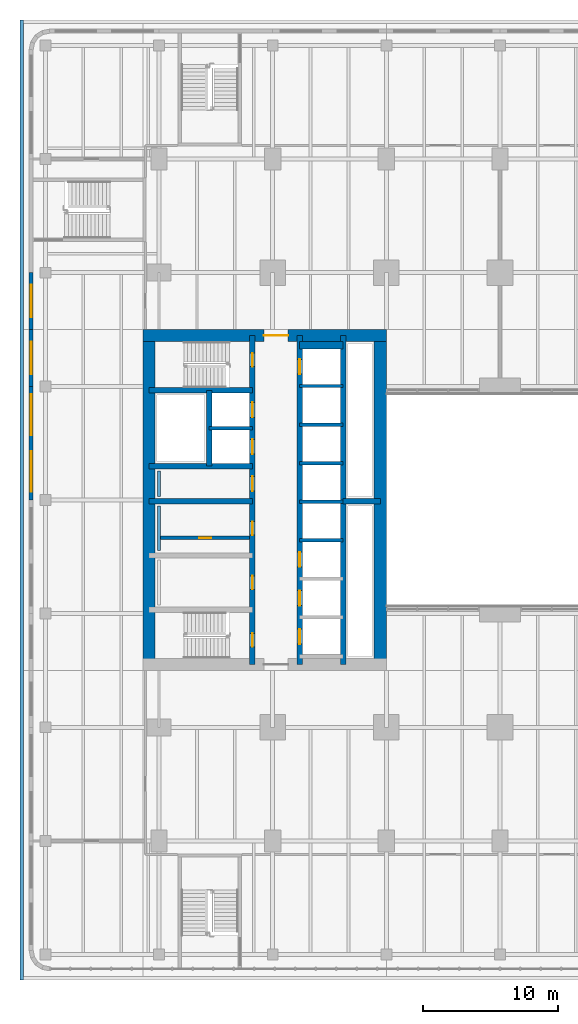
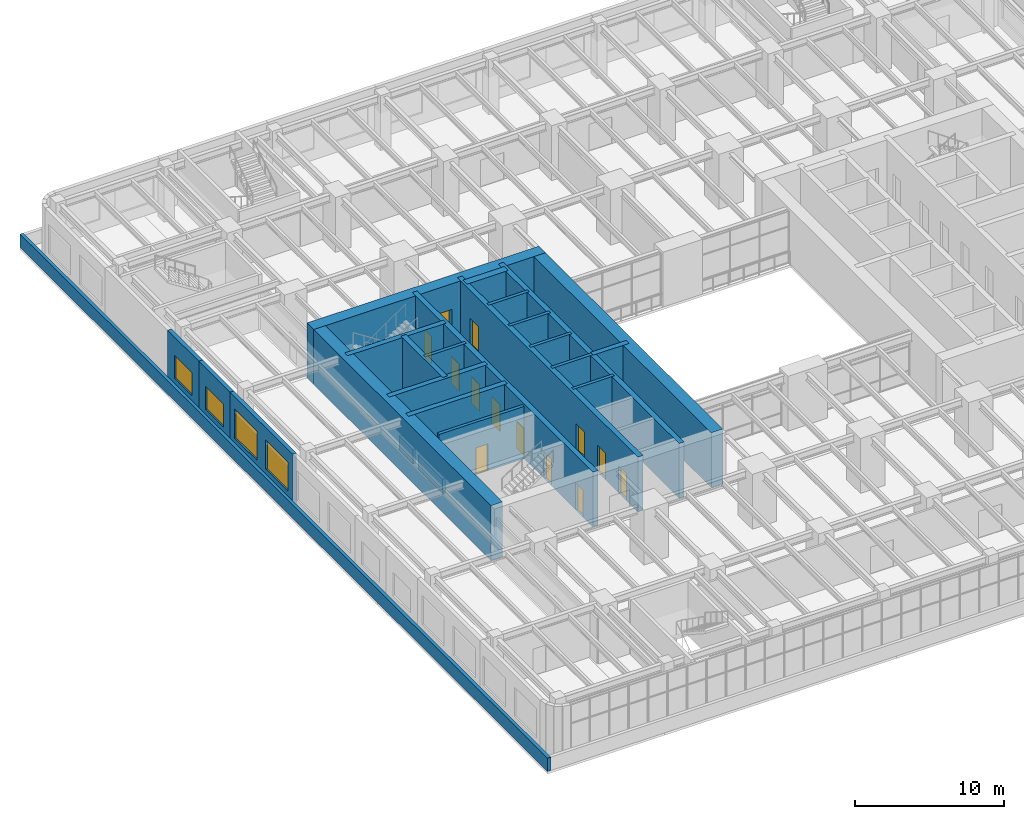
# One storey, part 19 of 30: 25 walls, 13 doors, 4 windows, 17 openings.
"""IFC4 building model written with IfcOpenShell, lengths in metres."""

from ifc_helpers import new_model, si_unit, direction, frame, frame_2d, origin, place, context, subcontext, project, spatial, rectangle, extrude, material, layer, layer_set, type_object, element, fill, save


model = new_model("IFC4")

# Units and contexts
model_context = context("Model", 3, precision=1e-05, world=origin(), true_north=direction((0.0, 1.0)))
body_context = subcontext(model_context, "Body", "Model", "MODEL_VIEW")
ifc_project = project(units=[si_unit("LENGTHUNIT", "METRE"), si_unit("AREAUNIT", "SQUARE_METRE"), si_unit("VOLUMEUNIT", "CUBIC_METRE"), si_unit("PLANEANGLEUNIT", "RADIAN"), si_unit("MASSUNIT", "GRAM", prefix="KILO")], contexts=[model_context])

# Site, building, storey
site_placement = place(None, origin())
site = spatial("IfcSite", under=ifc_project, at=site_placement, CompositionType="ELEMENT")
building_placement = place(site_placement, origin())
building = spatial("IfcBuilding", under=site, at=building_placement, Name="Claustro Exchange Tower", CompositionType="ELEMENT")
storey_placement = place(building_placement, frame((0.0, 0.0, 5.39990234375)))
storey = spatial("IfcBuildingStorey", under=building, at=storey_placement, Name="L01", CompositionType="ELEMENT", Elevation=5.39990234375)

# Wall, opening, door
ifc_material_1 = material(Name="Concrete blockwork, rendered", Category="masonry")
ifc_layer_1 = layer(ifc_material_1, 0.25)
ifc_layer_set_1 = layer_set([ifc_layer_1], Name="Concrete blockwork, rendered")
wall_type_1 = type_object("IfcWallType", Name="P4 250 blockwork wall", PredefinedType="PARTITIONING", material=ifc_layer_set_1)
wall_1_placement = place(storey_placement, frame((0.10009765625, 22.39990234375, 0.0), z_axis=(0.0, 0.0, 1.0), x_axis=(1.0, 0.0, 0.0)))
wall_1 = element("IfcWall", 1, at=wall_1_placement, inside=storey, type_object=wall_type_1, Name="Partition P4 L01", PredefinedType="PARTITIONING", context=body_context, shape_type="SweptSolid", body=[
    extrude(rectangle(XDim=6.599853515625, YDim=0.25, at=frame_2d((3.2998046875, 0.0))), origin(), (0.0, 0.0, 1.0), 4.300048828125),
])
opening_1_placement = place(wall_1_placement, frame((2.875, 0.0, 0.0)))
opening_1 = element("IfcOpeningElement", 2, at=opening_1_placement, cuts=wall_1, Name="Opening D5", PredefinedType="OPENING", context=body_context, shape_type="SweptSolid", body=[
    extrude(rectangle(XDim=0.89990234375, YDim=2.199951171875, at=frame_2d((0.449951171875, 1.10009765625))), frame((0.0, 0.135009765625, 0.0), z_axis=(0.0, -1.0, 0.0), x_axis=(1.0, 0.0, 0.0)), (0.0, 0.0, 1.0), 0.27001953125),
])
ifc_material_2 = material(Name="Steel door, painted", Category="steel")
door_type_1 = type_object("IfcDoorType", Name="D5 900 x 2200 store door", OperationType="SINGLE_SWING_LEFT", PredefinedType="DOOR", material=ifc_material_2)
door_1_placement = place(opening_1_placement, frame((0.89990234375, 0.0, 0.0), z_axis=(0.0, 0.0, 1.0), x_axis=(-1.0, 0.0, 0.0)))
door_1 = element("IfcDoor", 3, at=door_1_placement, inside=storey, type_object=door_type_1, Name="Store door D5 L01", OperationType="SINGLE_SWING_RIGHT", OverallHeight=2.199951171875, OverallWidth=0.89990234375, PredefinedType="DOOR", context=body_context, shape_type="SweptSolid", body=[
    extrude(rectangle(XDim=0.89990234375, YDim=2.199951171875, at=frame_2d((0.449951171875, 1.10009765625))), frame((0.0, 0.02490234375, 0.0), z_axis=(0.0, -1.0, 0.0), x_axis=(1.0, 0.0, 0.0)), (0.0, 0.0, 1.0), 0.050048828125),
])
fill(opening_1, door_1)

# Wall, openings, windows
ifc_material_3 = material(Name="Concrete HA-40 (C40/50), precast, white cement, acid-etched", Category="concrete")
ifc_layer_2 = layer(ifc_material_3, 0.300048828125)
ifc_layer_set_2 = layer_set([ifc_layer_2], Name="Concrete HA-40 (C40/50), precast, white cement, acid-etched")
wall_type_2 = type_object("IfcWallType", Name="PC1 300 precast concrete pier panel", PredefinedType="SOLIDWALL", material=ifc_layer_set_2)
wall_2_placement = place(storey_placement, frame((-9.449951171875, 25.199951171875, 0.0), z_axis=(0.0, 0.0, 1.0), x_axis=(0.0, 1.0, 0.0)))
wall_2 = element("IfcWall", 4, at=wall_2_placement, inside=storey, type_object=wall_type_2, Name="Precast pier panel PC1 L01", PredefinedType="SOLIDWALL", context=body_context, shape_type="SweptSolid", body=[
    extrude(rectangle(XDim=8.400146484375, YDim=0.300048828125, at=frame_2d((4.2001953125, 0.0))), origin(), (0.0, 0.0, 1.0), 4.300048828125),
])
opening_2_placement = place(wall_2_placement, frame((0.60009765625, 0.0, 0.89990234375)))
opening_2 = element("IfcOpeningElement", 5, at=opening_2_placement, cuts=wall_2, Name="Opening W3", PredefinedType="OPENING", context=body_context, shape_type="SweptSolid", body=[
    extrude(rectangle(XDim=3.0, YDim=2.39990234375, at=frame_2d((1.5, 1.199951171875))), frame((0.0, 0.159912109375, 0.0), z_axis=(0.0, -1.0, 0.0), x_axis=(1.0, 0.0, 0.0)), (0.0, 0.0, 1.0), 0.320068359375),
])
opening_3_placement = place(wall_2_placement, frame((4.800048828125, 0.0, 0.89990234375)))
opening_3 = element("IfcOpeningElement", 6, at=opening_3_placement, cuts=wall_2, Name="Opening W3", PredefinedType="OPENING", context=body_context, shape_type="SweptSolid", body=[
    extrude(rectangle(XDim=3.0, YDim=2.39990234375, at=frame_2d((1.5, 1.199951171875))), frame((0.0, 0.159912109375, 0.0), z_axis=(0.0, -1.0, 0.0), x_axis=(1.0, 0.0, 0.0)), (0.0, 0.0, 1.0), 0.320068359375),
])
ifc_material_4 = material(Name="Aluminium frame, clear double glazing", Category="aluminium")
window_type_1 = type_object("IfcWindowType", Name="W3 3000 x 2400 window", PartitioningType="SINGLE_PANEL", PredefinedType="WINDOW", material=ifc_material_4)
window_1_placement = place(opening_2_placement, origin())
window_1 = element("IfcWindow", 7, at=window_1_placement, inside=storey, type_object=window_type_1, Name="Window W3 L01", OverallHeight=2.39990234375, OverallWidth=3.0, PartitioningType="SINGLE_PANEL", PredefinedType="WINDOW", context=body_context, shape_type="SweptSolid", body=[
    extrude(rectangle(XDim=3.0, YDim=2.39990234375, at=frame_2d((1.5, 1.199951171875))), frame((0.0, 0.030029296875, 0.0), z_axis=(0.0, -1.0, 0.0), x_axis=(1.0, 0.0, 0.0)), (0.0, 0.0, 1.0), 0.06005859375),
])
fill(opening_2, window_1)
window_2_placement = place(opening_3_placement, origin())
window_2 = element("IfcWindow", 8, at=window_2_placement, inside=storey, type_object=window_type_1, Name="Window W3 L01", OverallHeight=2.39990234375, OverallWidth=3.0, PartitioningType="SINGLE_PANEL", PredefinedType="WINDOW", context=body_context, shape_type="SweptSolid", body=[
    extrude(rectangle(XDim=3.0, YDim=2.39990234375, at=frame_2d((1.5, 1.199951171875))), frame((0.0, 0.030029296875, 0.0), z_axis=(0.0, -1.0, 0.0), x_axis=(1.0, 0.0, 0.0)), (0.0, 0.0, 1.0), 0.06005859375),
])
fill(opening_3, window_2)

# Wall, opening, window
wall_3_placement = place(storey_placement, frame((-9.449951171875, 33.60009765625, 0.0), z_axis=(0.0, 0.0, 1.0), x_axis=(0.0, 1.0, 0.0)))
wall_3 = element("IfcWall", 9, at=wall_3_placement, inside=storey, type_object=wall_type_2, Name="Precast pier panel PC1 L01", PredefinedType="SOLIDWALL", context=body_context, shape_type="SweptSolid", body=[
    extrude(rectangle(XDim=4.199951171875, YDim=0.300048828125, at=frame_2d((2.10009765625, 0.0))), origin(), (0.0, 0.0, 1.0), 4.300048828125),
])
opening_4_placement = place(wall_3_placement, frame((0.89990234375, 0.0, 0.89990234375)))
opening_4 = element("IfcOpeningElement", 10, at=opening_4_placement, cuts=wall_3, Name="Opening W2", PredefinedType="OPENING", context=body_context, shape_type="SweptSolid", body=[
    extrude(rectangle(XDim=2.39990234375, YDim=1.89990234375, at=frame_2d((1.199951171875, 0.949951171875))), frame((0.0, 0.159912109375, 0.0), z_axis=(0.0, -1.0, 0.0), x_axis=(1.0, 0.0, 0.0)), (0.0, 0.0, 1.0), 0.320068359375),
])
ifc_material_5 = material(Name="Aluminium frame, clear double glazing", Category="aluminium")
window_type_2 = type_object("IfcWindowType", Name="W2 2400 x 1900 window", PartitioningType="SINGLE_PANEL", PredefinedType="WINDOW", material=ifc_material_5)
window_3_placement = place(opening_4_placement, origin())
window_3 = element("IfcWindow", 11, at=window_3_placement, inside=storey, type_object=window_type_2, Name="Window W2 L01", OverallHeight=1.89990234375, OverallWidth=2.39990234375, PartitioningType="SINGLE_PANEL", PredefinedType="WINDOW", context=body_context, shape_type="SweptSolid", body=[
    extrude(rectangle(XDim=2.39990234375, YDim=1.89990234375, at=frame_2d((1.199951171875, 0.949951171875))), frame((0.0, 0.030029296875, 0.0), z_axis=(0.0, -1.0, 0.0), x_axis=(1.0, 0.0, 0.0)), (0.0, 0.0, 1.0), 0.06005859375),
])
fill(opening_4, window_3)

wall_4_placement = place(storey_placement, frame((-9.449951171875, 37.800048828125, 0.0), z_axis=(0.0, 0.0, 1.0), x_axis=(0.0, 1.0, 0.0)))
wall_4 = element("IfcWall", 12, at=wall_4_placement, inside=storey, type_object=wall_type_2, Name="Precast pier panel PC1 L01", PredefinedType="SOLIDWALL", context=body_context, shape_type="SweptSolid", body=[
    extrude(rectangle(XDim=4.199951171875, YDim=0.300048828125, at=frame_2d((2.10009765625, 0.0))), origin(), (0.0, 0.0, 1.0), 4.300048828125),
])
opening_5_placement = place(wall_4_placement, frame((0.89990234375, 0.0, 0.89990234375)))
opening_5 = element("IfcOpeningElement", 13, at=opening_5_placement, cuts=wall_4, Name="Opening W2", PredefinedType="OPENING", context=body_context, shape_type="SweptSolid", body=[
    extrude(rectangle(XDim=2.39990234375, YDim=1.89990234375, at=frame_2d((1.199951171875, 0.949951171875))), frame((0.0, 0.159912109375, 0.0), z_axis=(0.0, -1.0, 0.0), x_axis=(1.0, 0.0, 0.0)), (0.0, 0.0, 1.0), 0.320068359375),
])
window_4_placement = place(opening_5_placement, origin())
window_4 = element("IfcWindow", 14, at=window_4_placement, inside=storey, type_object=window_type_2, Name="Window W2 L01", OverallHeight=1.89990234375, OverallWidth=2.39990234375, PartitioningType="SINGLE_PANEL", PredefinedType="WINDOW", context=body_context, shape_type="SweptSolid", body=[
    extrude(rectangle(XDim=2.39990234375, YDim=1.89990234375, at=frame_2d((1.199951171875, 0.949951171875))), frame((0.0, 0.030029296875, 0.0), z_axis=(0.0, -1.0, 0.0), x_axis=(1.0, 0.0, 0.0)), (0.0, 0.0, 1.0), 0.06005859375),
])
fill(opening_5, window_4)

# Walls
ifc_material_6 = material(Name="Concrete HA-40 (C40/50), precast, white cement, acid-etched", Category="concrete")
ifc_layer_3 = layer(ifc_material_6, 0.25)
ifc_layer_set_3 = layer_set([ifc_layer_3], Name="Concrete HA-40 (C40/50), precast, white cement, acid-etched")
wall_type_3 = type_object("IfcWallType", Name="PP1 250 precast concrete parapet", PredefinedType="PARAPET", material=ifc_layer_set_3)
wall_5_placement = place(storey_placement, frame((-10.14990234375, -10.27490234375, 0.0), z_axis=(0.0, 0.0, 1.0), x_axis=(0.0, 1.0, 0.0)))
element("IfcWall", 15, at=wall_5_placement, inside=storey, type_object=wall_type_3, Name="Parapet PP1 roof at +5.400", PredefinedType="PARAPET", context=body_context, shape_type="SweptSolid", body=[
    extrude(rectangle(XDim=70.949951171875, YDim=0.25, at=frame_2d((35.47509765625, 0.0))), origin(), (0.0, 0.0, 1.0), 1.10009765625),
])
ifc_material_7 = material(Name="Gypsum board on steel studs, tiled", Category="steel")
ifc_layer_4 = layer(ifc_material_7, 0.199951171875)
ifc_layer_set_4 = layer_set([ifc_layer_4], Name="Gypsum board on steel studs, tiled")
wall_type_4 = type_object("IfcWallType", Name="PW1 200 WC duct wall", PredefinedType="PLUMBINGWALL", material=ifc_layer_set_4)
wall_6_placement = place(storey_placement, frame((0.0, 21.449951171875, 0.0), z_axis=(0.0, 0.0, 1.0), x_axis=(0.0, 1.0, 0.0)))
element("IfcWall", 16, at=wall_6_placement, inside=storey, type_object=wall_type_4, Name="WC duct wall PW1 L01", PredefinedType="PLUMBINGWALL", context=body_context, shape_type="SweptSolid", body=[
    extrude(rectangle(XDim=3.300048828125, YDim=0.199951171875, at=frame_2d((1.64990234375, 0.0))), origin(), (0.0, 0.0, 1.0), 1.2001953125),
])
wall_7_placement = place(storey_placement, frame((0.0, 25.449951171875, 0.0), z_axis=(0.0, 0.0, 1.0), x_axis=(0.0, 1.0, 0.0)))
element("IfcWall", 17, at=wall_7_placement, inside=storey, type_object=wall_type_4, Name="WC duct wall PW1 L01", PredefinedType="PLUMBINGWALL", context=body_context, shape_type="SweptSolid", body=[
    extrude(rectangle(XDim=1.900146484375, YDim=0.199951171875, at=frame_2d((0.9501953125, 0.0))), origin(), (0.0, 0.0, 1.0), 1.2001953125),
])

# Wall, opening, door
ifc_material_8 = material(Name="Concrete HA-70 (C70/85)", Category="concrete")
ifc_layer_5 = layer(ifc_material_8, 0.89990234375)
ifc_layer_set_5 = layer_set([ifc_layer_5], Name="Concrete HA-70 (C70/85)")
wall_type_5 = type_object("IfcWallType", Name="SW1 900 core shear wall", PredefinedType="SHEAR", material=ifc_layer_set_5)
wall_8_placement = place(storey_placement, frame((-1.199951171875, 37.35009765625, 0.0), z_axis=(0.0, 0.0, 1.0), x_axis=(1.0, 0.0, 0.0)))
wall_8 = element("IfcWall", 18, at=wall_8_placement, inside=storey, type_object=wall_type_5, Name="Core wall SW1 W core N face L01", PredefinedType="SHEAR", context=body_context, shape_type="SweptSolid", body=[
    extrude(rectangle(XDim=18.0, YDim=0.89990234375, at=frame_2d((9.0, 0.0))), origin(), (0.0, 0.0, 1.0), 4.5),
])
opening_6_placement = place(wall_8_placement, frame((8.949951171875, 0.0, 0.0)))
opening_6 = element("IfcOpeningElement", 19, at=opening_6_placement, cuts=wall_8, Name="Opening D3", PredefinedType="OPENING", context=body_context, shape_type="SweptSolid", body=[
    extrude(rectangle(XDim=1.800048828125, YDim=2.39990234375, at=frame_2d((0.89990234375, 1.199951171875))), frame((0.0, 0.4599609375, 0.0), z_axis=(0.0, -1.0, 0.0), x_axis=(1.0, 0.0, 0.0)), (0.0, 0.0, 1.0), 0.919921875),
])
ifc_material_9 = material(Name="Steel fire door, painted", Category="steel")
door_type_2 = type_object("IfcDoorType", Name="D3 1800 x 2400 fire-rated lobby double door", OperationType="DOUBLE_DOOR_SINGLE_SWING", PredefinedType="DOOR", material=ifc_material_9)
door_2_placement = place(opening_6_placement, origin())
door_2 = element("IfcDoor", 20, at=door_2_placement, inside=storey, type_object=door_type_2, Name="Lift lobby door D3 L01", OperationType="DOUBLE_DOOR_SINGLE_SWING", OverallHeight=2.39990234375, OverallWidth=1.800048828125, PredefinedType="DOOR", context=body_context, shape_type="SweptSolid", body=[
    extrude(rectangle(XDim=1.800048828125, YDim=2.39990234375, at=frame_2d((0.89990234375, 1.199951171875))), frame((0.0, 0.02490234375, 0.0), z_axis=(0.0, -1.0, 0.0), x_axis=(1.0, 0.0, 0.0)), (0.0, 0.0, 1.0), 0.050048828125),
])
fill(opening_6, door_2)

# Walls
ifc_material_10 = material(Name="Concrete HA-70 (C70/85)", Category="concrete")
ifc_layer_6 = layer(ifc_material_10, 0.89990234375)
ifc_layer_set_6 = layer_set([ifc_layer_6], Name="Concrete HA-70 (C70/85)")
wall_type_6 = type_object("IfcWallType", Name="SW1X 900 exposed core shear wall, board-marked face", PredefinedType="SHEAR", material=ifc_layer_set_6)
for number, where, z_axis, x_axis, name in (
    (21, (-0.75, 13.050048828125, 0.0), (0.0, 0.0, 1.0), (0.0, 1.0, 0.0), "Core wall SW1X W core W face L01"),
    (22, (16.35009765625, 13.050048828125, 0.0), (0.0, 0.0, 1.0), (0.0, 1.0, 0.0), "Core wall SW1X W core E face L01"),
):
    element("IfcWall", number, at=place(storey_placement, frame(where, z_axis=z_axis, x_axis=x_axis)), inside=storey, type_object=wall_type_6, Name=name, PredefinedType="SHEAR", context=body_context, shape_type="SweptSolid", body=[
        extrude(rectangle(XDim=24.300048828125, YDim=0.89990234375, at=frame_2d((12.14990234375, 0.0))), origin(), (0.0, 0.0, 1.0), 4.5),
    ])

# Wall, openings, doors
ifc_material_11 = material(Name="Concrete HA-50 (C50/60)", Category="concrete")
ifc_layer_7 = layer(ifc_material_11, 0.39990234375)
ifc_layer_set_7 = layer_set([ifc_layer_7], Name="Concrete HA-50 (C50/60)")
wall_type_7 = type_object("IfcWallType", Name="SW4 400 internal core wall", PredefinedType="SHEAR", material=ifc_layer_set_7)
wall_9_placement = place(storey_placement, frame((6.89990234375, 13.050048828125, 0.0), z_axis=(0.0, 0.0, 1.0), x_axis=(0.0, 1.0, 0.0)))
wall_9 = element("IfcWall", 23, at=wall_9_placement, inside=storey, type_object=wall_type_7, Name="Internal core wall SW4 W core L01", PredefinedType="SHEAR", context=body_context, shape_type="SweptSolid", body=[
    extrude(rectangle(XDim=24.300048828125, YDim=0.39990234375, at=frame_2d((12.14990234375, 0.0))), origin(), (0.0, 0.0, 1.0), 4.5),
])
opening_7_placement = place(wall_9_placement, frame((1.300048828125, 0.0, 0.0)))
opening_7 = element("IfcOpeningElement", 24, at=opening_7_placement, cuts=wall_9, Name="Opening D4", PredefinedType="OPENING", context=body_context, shape_type="SweptSolid", body=[
    extrude(rectangle(XDim=1.0, YDim=2.199951171875, at=frame_2d((0.5, 1.10009765625))), frame((0.0, 0.2099609375, 0.0), z_axis=(0.0, -1.0, 0.0), x_axis=(1.0, 0.0, 0.0)), (0.0, 0.0, 1.0), 0.419921875),
])
opening_8_placement = place(wall_9_placement, frame((22.0, 0.0, 0.0)))
opening_8 = element("IfcOpeningElement", 25, at=opening_8_placement, cuts=wall_9, Name="Opening D4", PredefinedType="OPENING", context=body_context, shape_type="SweptSolid", body=[
    extrude(rectangle(XDim=1.0, YDim=2.199951171875, at=frame_2d((0.5, 1.10009765625))), frame((0.0, 0.2099609375, 0.0), z_axis=(0.0, -1.0, 0.0), x_axis=(1.0, 0.0, 0.0)), (0.0, 0.0, 1.0), 0.419921875),
])
opening_9_placement = place(wall_9_placement, frame((5.550048828125, 0.0, 0.0)))
opening_9 = element("IfcOpeningElement", 26, at=opening_9_placement, cuts=wall_9, Name="Opening D1", PredefinedType="OPENING", context=body_context, shape_type="SweptSolid", body=[
    extrude(rectangle(XDim=1.0, YDim=2.199951171875, at=frame_2d((0.5, 1.10009765625))), frame((0.0, 0.2099609375, 0.0), z_axis=(0.0, -1.0, 0.0), x_axis=(1.0, 0.0, 0.0)), (0.0, 0.0, 1.0), 0.419921875),
])
opening_10_placement = place(wall_9_placement, frame((9.550048828125, 0.0, 0.0)))
opening_10 = element("IfcOpeningElement", 27, at=opening_10_placement, cuts=wall_9, Name="Opening D1", PredefinedType="OPENING", context=body_context, shape_type="SweptSolid", body=[
    extrude(rectangle(XDim=1.0, YDim=2.199951171875, at=frame_2d((0.5, 1.10009765625))), frame((0.0, 0.2099609375, 0.0), z_axis=(0.0, -1.0, 0.0), x_axis=(1.0, 0.0, 0.0)), (0.0, 0.0, 1.0), 0.419921875),
])
opening_11_placement = place(wall_9_placement, frame((12.800048828125, 0.0, 0.0)))
opening_11 = element("IfcOpeningElement", 28, at=opening_11_placement, cuts=wall_9, Name="Opening D10", PredefinedType="OPENING", context=body_context, shape_type="SweptSolid", body=[
    extrude(rectangle(XDim=1.10009765625, YDim=2.199951171875, at=frame_2d((0.550048828125, 1.10009765625))), frame((0.0, 0.2099609375, 0.0), z_axis=(0.0, -1.0, 0.0), x_axis=(1.0, 0.0, 0.0)), (0.0, 0.0, 1.0), 0.419921875),
])
opening_12_placement = place(wall_9_placement, frame((15.53759765625, 0.0, 0.0)))
opening_12 = element("IfcOpeningElement", 29, at=opening_12_placement, cuts=wall_9, Name="Opening LD", PredefinedType="OPENING", context=body_context, shape_type="SweptSolid", body=[
    extrude(rectangle(XDim=1.10009765625, YDim=2.199951171875, at=frame_2d((0.550048828125, 1.10009765625))), frame((0.0, 0.2099609375, 0.0), z_axis=(0.0, -1.0, 0.0), x_axis=(1.0, 0.0, 0.0)), (0.0, 0.0, 1.0), 0.419921875),
])
opening_13_placement = place(wall_9_placement, frame((18.262451171875, 0.0, 0.0)))
opening_13 = element("IfcOpeningElement", 30, at=opening_13_placement, cuts=wall_9, Name="Opening LD", PredefinedType="OPENING", context=body_context, shape_type="SweptSolid", body=[
    extrude(rectangle(XDim=1.10009765625, YDim=2.199951171875, at=frame_2d((0.550048828125, 1.10009765625))), frame((0.0, 0.2099609375, 0.0), z_axis=(0.0, -1.0, 0.0), x_axis=(1.0, 0.0, 0.0)), (0.0, 0.0, 1.0), 0.419921875),
])
ifc_material_12 = material(Name="Timber door, oak veneer", Category="wood")
door_type_3 = type_object("IfcDoorType", Name="D1 1000 x 2200 single door", OperationType="SINGLE_SWING_LEFT", PredefinedType="DOOR", material=ifc_material_12)
door_3_placement = place(opening_9_placement, origin())
door_3 = element("IfcDoor", 31, at=door_3_placement, inside=storey, type_object=door_type_3, Name="Door D1 L01", OperationType="SINGLE_SWING_RIGHT", OverallHeight=2.199951171875, OverallWidth=1.0, PredefinedType="DOOR", context=body_context, shape_type="SweptSolid", body=[
    extrude(rectangle(XDim=1.0, YDim=2.199951171875, at=frame_2d((0.5, 1.10009765625))), frame((0.0, 0.02490234375, 0.0), z_axis=(0.0, -1.0, 0.0), x_axis=(1.0, 0.0, 0.0)), (0.0, 0.0, 1.0), 0.050048828125),
])
fill(opening_9, door_3)
door_4_placement = place(opening_10_placement, origin())
door_4 = element("IfcDoor", 32, at=door_4_placement, inside=storey, type_object=door_type_3, Name="Door D1 L01", OperationType="SINGLE_SWING_LEFT", OverallHeight=2.199951171875, OverallWidth=1.0, PredefinedType="DOOR", context=body_context, shape_type="SweptSolid", body=[
    extrude(rectangle(XDim=1.0, YDim=2.199951171875, at=frame_2d((0.5, 1.10009765625))), frame((0.0, 0.02490234375, 0.0), z_axis=(0.0, -1.0, 0.0), x_axis=(1.0, 0.0, 0.0)), (0.0, 0.0, 1.0), 0.050048828125),
])
fill(opening_10, door_4)
ifc_material_13 = material(Name="Timber door, oak veneer", Category="wood")
door_type_4 = type_object("IfcDoorType", Name="D10 1100 x 2200 accessible WC door", OperationType="SINGLE_SWING_LEFT", PredefinedType="DOOR", material=ifc_material_13)
door_5_placement = place(opening_11_placement, frame((1.10009765625, 0.0, 0.0), z_axis=(0.0, 0.0, 1.0), x_axis=(-1.0, 0.0, 0.0)))
door_5 = element("IfcDoor", 33, at=door_5_placement, inside=storey, type_object=door_type_4, Name="Accessible WC door D10 L01", OperationType="SINGLE_SWING_LEFT", OverallHeight=2.199951171875, OverallWidth=1.10009765625, PredefinedType="DOOR", context=body_context, shape_type="SweptSolid", body=[
    extrude(rectangle(XDim=1.10009765625, YDim=2.199951171875, at=frame_2d((0.550048828125, 1.10009765625))), frame((0.0, 0.02490234375, 0.0), z_axis=(0.0, -1.0, 0.0), x_axis=(1.0, 0.0, 0.0)), (0.0, 0.0, 1.0), 0.050048828125),
])
fill(opening_11, door_5)
ifc_material_14 = material(Name="Steel fire door, painted", Category="steel")
door_type_5 = type_object("IfcDoorType", Name="D4 1000 x 2200 fire-rated stair door", OperationType="SINGLE_SWING_LEFT", PredefinedType="DOOR", material=ifc_material_14)
door_6_placement = place(opening_7_placement, origin())
door_6 = element("IfcDoor", 34, at=door_6_placement, inside=storey, type_object=door_type_5, Name="Stair door D4 L01", OperationType="SINGLE_SWING_LEFT", OverallHeight=2.199951171875, OverallWidth=1.0, PredefinedType="DOOR", context=body_context, shape_type="SweptSolid", body=[
    extrude(rectangle(XDim=1.0, YDim=2.199951171875, at=frame_2d((0.5, 1.10009765625))), frame((0.0, 0.02490234375, 0.0), z_axis=(0.0, -1.0, 0.0), x_axis=(1.0, 0.0, 0.0)), (0.0, 0.0, 1.0), 0.050048828125),
])
fill(opening_7, door_6)
door_7_placement = place(opening_8_placement, origin())
door_7 = element("IfcDoor", 35, at=door_7_placement, inside=storey, type_object=door_type_5, Name="Stair door D4 L01", OperationType="SINGLE_SWING_RIGHT", OverallHeight=2.199951171875, OverallWidth=1.0, PredefinedType="DOOR", context=body_context, shape_type="SweptSolid", body=[
    extrude(rectangle(XDim=1.0, YDim=2.199951171875, at=frame_2d((0.5, 1.10009765625))), frame((0.0, 0.02490234375, 0.0), z_axis=(0.0, -1.0, 0.0), x_axis=(1.0, 0.0, 0.0)), (0.0, 0.0, 1.0), 0.050048828125),
])
fill(opening_8, door_7)
ifc_material_15 = material(Name="Stainless steel sliding door", Category="steel")
door_type_6 = type_object("IfcDoorType", Name="LD 1100 x 2200 lift landing door", OperationType="DOUBLE_DOOR_SLIDING", PredefinedType="DOOR", material=ifc_material_15)
door_8_placement = place(opening_12_placement, origin())
door_8 = element("IfcDoor", 36, at=door_8_placement, inside=storey, type_object=door_type_6, Name="Lift landing door LEW1 LD L01", OperationType="DOUBLE_DOOR_SLIDING", OverallHeight=2.199951171875, OverallWidth=1.10009765625, PredefinedType="DOOR", context=body_context, shape_type="SweptSolid", body=[
    extrude(rectangle(XDim=1.10009765625, YDim=2.199951171875, at=frame_2d((0.550048828125, 1.10009765625))), frame((0.0, 0.02490234375, 0.0), z_axis=(0.0, -1.0, 0.0), x_axis=(1.0, 0.0, 0.0)), (0.0, 0.0, 1.0), 0.050048828125),
])
fill(opening_12, door_8)
door_9_placement = place(opening_13_placement, origin())
door_9 = element("IfcDoor", 37, at=door_9_placement, inside=storey, type_object=door_type_6, Name="Lift landing door LEW2 LD L01", OperationType="DOUBLE_DOOR_SLIDING", OverallHeight=2.199951171875, OverallWidth=1.10009765625, PredefinedType="DOOR", context=body_context, shape_type="SweptSolid", body=[
    extrude(rectangle(XDim=1.10009765625, YDim=2.199951171875, at=frame_2d((0.550048828125, 1.10009765625))), frame((0.0, 0.02490234375, 0.0), z_axis=(0.0, -1.0, 0.0), x_axis=(1.0, 0.0, 0.0)), (0.0, 0.0, 1.0), 0.050048828125),
])
fill(opening_13, door_9)

wall_10_placement = place(storey_placement, frame((10.39990234375, 13.050048828125, 0.0), z_axis=(0.0, 0.0, 1.0), x_axis=(0.0, 1.0, 0.0)))
wall_10 = element("IfcWall", 38, at=wall_10_placement, inside=storey, type_object=wall_type_7, Name="Internal core wall SW4 W core L01", PredefinedType="SHEAR", context=body_context, shape_type="SweptSolid", body=[
    extrude(rectangle(XDim=24.300048828125, YDim=0.39990234375, at=frame_2d((12.14990234375, 0.0))), origin(), (0.0, 0.0, 1.0), 4.5),
])
opening_14_placement = place(wall_10_placement, frame((1.5, 0.0, 0.0)))
opening_14 = element("IfcOpeningElement", 39, at=opening_14_placement, cuts=wall_10, Name="Opening LD", PredefinedType="OPENING", context=body_context, shape_type="SweptSolid", body=[
    extrude(rectangle(XDim=1.10009765625, YDim=2.199951171875, at=frame_2d((0.550048828125, 1.10009765625))), frame((0.0, 0.2099609375, 0.0), z_axis=(0.0, -1.0, 0.0), x_axis=(1.0, 0.0, 0.0)), (0.0, 0.0, 1.0), 0.419921875),
])
opening_15_placement = place(wall_10_placement, frame((4.35009765625, 0.0, 0.0)))
opening_15 = element("IfcOpeningElement", 40, at=opening_15_placement, cuts=wall_10, Name="Opening LD", PredefinedType="OPENING", context=body_context, shape_type="SweptSolid", body=[
    extrude(rectangle(XDim=1.10009765625, YDim=2.199951171875, at=frame_2d((0.550048828125, 1.10009765625))), frame((0.0, 0.2099609375, 0.0), z_axis=(0.0, -1.0, 0.0), x_axis=(1.0, 0.0, 0.0)), (0.0, 0.0, 1.0), 0.419921875),
])
opening_16_placement = place(wall_10_placement, frame((7.199951171875, 0.0, 0.0)))
opening_16 = element("IfcOpeningElement", 41, at=opening_16_placement, cuts=wall_10, Name="Opening LD", PredefinedType="OPENING", context=body_context, shape_type="SweptSolid", body=[
    extrude(rectangle(XDim=1.10009765625, YDim=2.199951171875, at=frame_2d((0.550048828125, 1.10009765625))), frame((0.0, 0.2099609375, 0.0), z_axis=(0.0, -1.0, 0.0), x_axis=(1.0, 0.0, 0.0)), (0.0, 0.0, 1.0), 0.419921875),
])
opening_17_placement = place(wall_10_placement, frame((21.449951171875, 0.0, 0.0)))
opening_17 = element("IfcOpeningElement", 42, at=opening_17_placement, cuts=wall_10, Name="Opening LD", PredefinedType="OPENING", context=body_context, shape_type="SweptSolid", body=[
    extrude(rectangle(XDim=1.10009765625, YDim=2.199951171875, at=frame_2d((0.550048828125, 1.10009765625))), frame((0.0, 0.2099609375, 0.0), z_axis=(0.0, -1.0, 0.0), x_axis=(1.0, 0.0, 0.0)), (0.0, 0.0, 1.0), 0.419921875),
])
door_10_placement = place(opening_14_placement, origin())
door_10 = element("IfcDoor", 43, at=door_10_placement, inside=storey, type_object=door_type_6, Name="Lift landing door LLW1 LD L01", OperationType="DOUBLE_DOOR_SLIDING", OverallHeight=2.199951171875, OverallWidth=1.10009765625, PredefinedType="DOOR", context=body_context, shape_type="SweptSolid", body=[
    extrude(rectangle(XDim=1.10009765625, YDim=2.199951171875, at=frame_2d((0.550048828125, 1.10009765625))), frame((0.0, 0.02490234375, 0.0), z_axis=(0.0, -1.0, 0.0), x_axis=(1.0, 0.0, 0.0)), (0.0, 0.0, 1.0), 0.050048828125),
])
fill(opening_14, door_10)
door_11_placement = place(opening_15_placement, origin())
door_11 = element("IfcDoor", 44, at=door_11_placement, inside=storey, type_object=door_type_6, Name="Lift landing door LLW2 LD L01", OperationType="DOUBLE_DOOR_SLIDING", OverallHeight=2.199951171875, OverallWidth=1.10009765625, PredefinedType="DOOR", context=body_context, shape_type="SweptSolid", body=[
    extrude(rectangle(XDim=1.10009765625, YDim=2.199951171875, at=frame_2d((0.550048828125, 1.10009765625))), frame((0.0, 0.02490234375, 0.0), z_axis=(0.0, -1.0, 0.0), x_axis=(1.0, 0.0, 0.0)), (0.0, 0.0, 1.0), 0.050048828125),
])
fill(opening_15, door_11)
door_12_placement = place(opening_16_placement, origin())
door_12 = element("IfcDoor", 45, at=door_12_placement, inside=storey, type_object=door_type_6, Name="Lift landing door LLW3 LD L01", OperationType="DOUBLE_DOOR_SLIDING", OverallHeight=2.199951171875, OverallWidth=1.10009765625, PredefinedType="DOOR", context=body_context, shape_type="SweptSolid", body=[
    extrude(rectangle(XDim=1.10009765625, YDim=2.199951171875, at=frame_2d((0.550048828125, 1.10009765625))), frame((0.0, 0.02490234375, 0.0), z_axis=(0.0, -1.0, 0.0), x_axis=(1.0, 0.0, 0.0)), (0.0, 0.0, 1.0), 0.050048828125),
])
fill(opening_16, door_12)
door_13_placement = place(opening_17_placement, origin())
door_13 = element("IfcDoor", 46, at=door_13_placement, inside=storey, type_object=door_type_6, Name="Lift landing door LSW1 LD L01", OperationType="DOUBLE_DOOR_SLIDING", OverallHeight=2.199951171875, OverallWidth=1.10009765625, PredefinedType="DOOR", context=body_context, shape_type="SweptSolid", body=[
    extrude(rectangle(XDim=1.10009765625, YDim=2.199951171875, at=frame_2d((0.550048828125, 1.10009765625))), frame((0.0, 0.02490234375, 0.0), z_axis=(0.0, -1.0, 0.0), x_axis=(1.0, 0.0, 0.0)), (0.0, 0.0, 1.0), 0.050048828125),
])
fill(opening_17, door_13)

# Walls
wall_11_placement = place(storey_placement, frame((13.60009765625, 13.050048828125, 0.0), z_axis=(0.0, 0.0, 1.0), x_axis=(0.0, 1.0, 0.0)))
element("IfcWall", 47, at=wall_11_placement, inside=storey, type_object=wall_type_7, Name="Internal core wall SW4 W core L01", PredefinedType="SHEAR", context=body_context, shape_type="SweptSolid", body=[
    extrude(rectangle(XDim=24.300048828125, YDim=0.39990234375, at=frame_2d((12.14990234375, 0.0))), origin(), (0.0, 0.0, 1.0), 4.5),
])
for number, where, z_axis, x_axis, name in (
    (48, (-0.75, 25.10009765625, 0.0), (0.0, 0.0, 1.0), (1.0, 0.0, 0.0), "Internal core wall SW4 W core L01"),
    (49, (-0.75, 27.699951171875, 0.0), (0.0, 0.0, 1.0), (1.0, 0.0, 0.0), "Internal core wall SW4 W core L01"),
    (50, (-0.75, 33.300048828125, 0.0), (0.0, 0.0, 1.0), (1.0, 0.0, 0.0), "Internal core wall SW4 W core L01"),
):
    element("IfcWall", number, at=place(storey_placement, frame(where, z_axis=z_axis, x_axis=x_axis)), inside=storey, type_object=wall_type_7, Name=name, PredefinedType="SHEAR", context=body_context, shape_type="SweptSolid", body=[
        extrude(rectangle(XDim=7.64990234375, YDim=0.39990234375, at=frame_2d((3.824951171875, 0.0))), origin(), (0.0, 0.0, 1.0), 4.5),
    ])
wall_12_placement = place(storey_placement, frame((3.699951171875, 27.699951171875, 0.0), z_axis=(0.0, 0.0, 1.0), x_axis=(0.0, 1.0, 0.0)))
element("IfcWall", 51, at=wall_12_placement, inside=storey, type_object=wall_type_7, Name="Internal core wall SW4 W core L01", PredefinedType="SHEAR", context=body_context, shape_type="SweptSolid", body=[
    extrude(rectangle(XDim=5.60009765625, YDim=0.39990234375, at=frame_2d((2.800048828125, 0.0))), origin(), (0.0, 0.0, 1.0), 4.5),
])
wall_13_placement = place(storey_placement, frame((13.60009765625, 25.10009765625, 0.0), z_axis=(0.0, 0.0, 1.0), x_axis=(1.0, 0.0, 0.0)))
element("IfcWall", 52, at=wall_13_placement, inside=storey, type_object=wall_type_7, Name="Internal core wall SW4 W core L01", PredefinedType="SHEAR", context=body_context, shape_type="SweptSolid", body=[
    extrude(rectangle(XDim=2.75, YDim=0.39990234375, at=frame_2d((1.375, 0.0))), origin(), (0.0, 0.0, 1.0), 4.5),
])
ifc_material_16 = material(Name="Concrete HA-50 (C50/60)", Category="concrete")
ifc_layer_8 = layer(ifc_material_16, 0.25)
ifc_layer_set_8 = layer_set([ifc_layer_8], Name="Concrete HA-50 (C50/60)")
wall_type_8 = type_object("IfcWallType", Name="SW5 250 lift shaft divider wall", PredefinedType="SHEAR", material=ifc_layer_set_8)
wall_14_placement = place(storey_placement, frame((3.699951171875, 30.5, 0.0), z_axis=(0.0, 0.0, 1.0), x_axis=(1.0, 0.0, 0.0)))
element("IfcWall", 53, at=wall_14_placement, inside=storey, type_object=wall_type_8, Name="Lift shaft wall W core L01", PredefinedType="SHEAR", context=body_context, shape_type="SweptSolid", body=[
    extrude(rectangle(XDim=3.199951171875, YDim=0.25, at=frame_2d((1.60009765625, 0.0))), origin(), (0.0, 0.0, 1.0), 4.5),
])
for number, where, z_axis, x_axis, name in (
    (54, (10.39990234375, 22.22509765625, 0.0), (0.0, 0.0, 1.0), (1.0, 0.0, 0.0), "Lift shaft wall W core L01"),
    (55, (10.39990234375, 25.074951171875, 0.0), (0.0, 0.0, 1.0), (1.0, 0.0, 0.0), "Lift shaft wall W core L01"),
    (56, (10.39990234375, 27.925048828125, 0.0), (0.0, 0.0, 1.0), (1.0, 0.0, 0.0), "Lift shaft wall W core L01"),
    (57, (10.39990234375, 30.77490234375, 0.0), (0.0, 0.0, 1.0), (1.0, 0.0, 0.0), "Lift shaft wall W core L01"),
    (58, (10.39990234375, 33.625, 0.0), (0.0, 0.0, 1.0), (1.0, 0.0, 0.0), "Lift shaft wall W core L01"),
):
    element("IfcWall", number, at=place(storey_placement, frame(where, z_axis=z_axis, x_axis=x_axis)), inside=storey, type_object=wall_type_8, Name=name, PredefinedType="SHEAR", context=body_context, shape_type="SweptSolid", body=[
        extrude(rectangle(XDim=3.2001953125, YDim=0.25, at=frame_2d((1.60009765625, 0.0))), origin(), (0.0, 0.0, 1.0), 4.5),
    ])
ifc_material_17 = material(Name="Concrete HA-50 (C50/60)", Category="concrete")
ifc_layer_9 = layer(ifc_material_17, 0.550048828125)
ifc_layer_set_9 = layer_set([ifc_layer_9], Name="Concrete HA-50 (C50/60)")
wall_type_9 = type_object("IfcWallType", Name="SW6 550 lift shaft end wall", PredefinedType="SHEAR", material=ifc_layer_set_9)
wall_15_placement = place(storey_placement, frame((10.39990234375, 36.625, 0.0), z_axis=(0.0, 0.0, 1.0), x_axis=(1.0, 0.0, 0.0)))
element("IfcWall", 59, at=wall_15_placement, inside=storey, type_object=wall_type_9, Name="Lift shaft wall W core L01", PredefinedType="SHEAR", context=body_context, shape_type="SweptSolid", body=[
    extrude(rectangle(XDim=3.2001953125, YDim=0.550048828125, at=frame_2d((1.60009765625, 0.0))), origin(), (0.0, 0.0, 1.0), 4.5),
])

save(model, "model.ifc")
